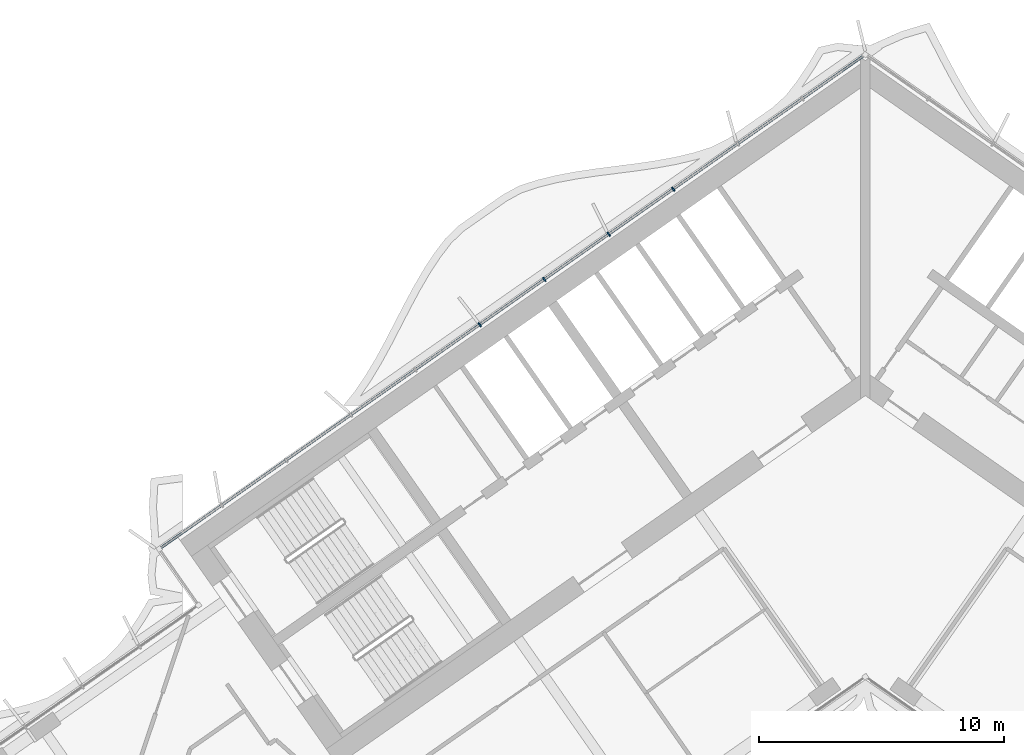
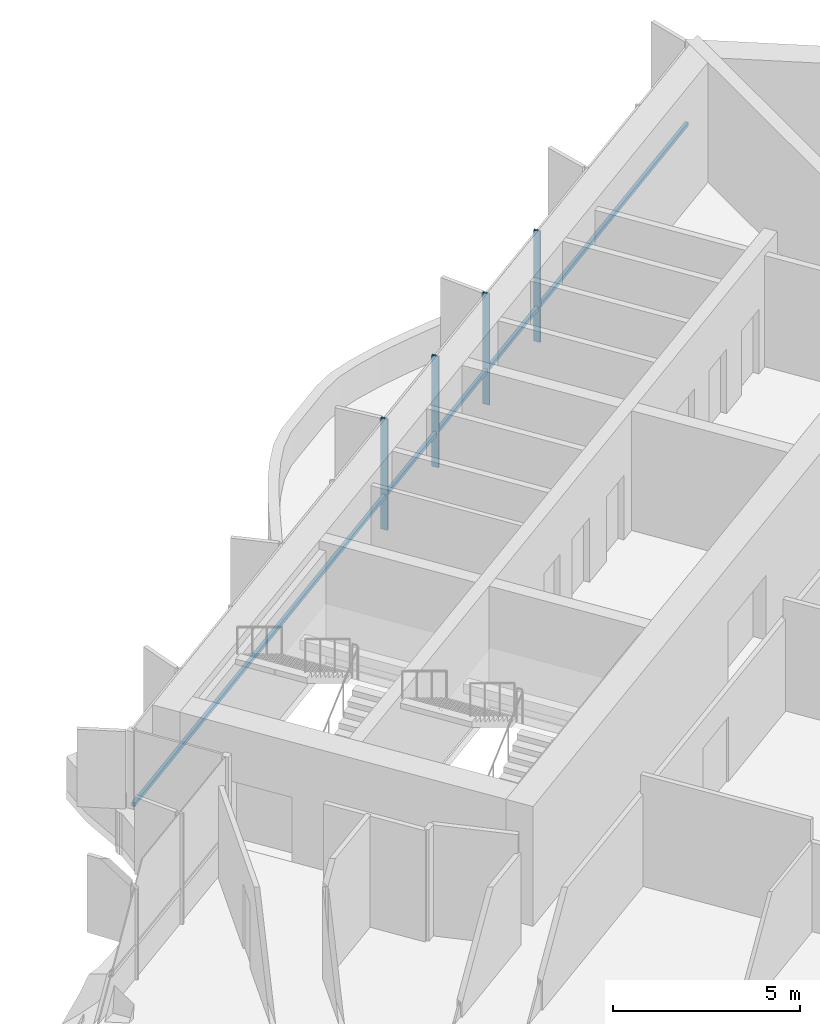
# One storey, part 8 of 23: 5 members, 1 element without a shape of its own.
"""IFC4 building model written with IfcOpenShell, lengths in metres."""

from ifc_helpers import new_model, si_unit, direction, frame, origin, origin_2d, place, context, subcontext, project, spatial, rectangle, extrude, material, material_profile, profile_set, type_object, element, aggregate, save


model = new_model("IFC4")

# Units and contexts
model_context = context("Model", 3, precision=1e-05, world=origin(), true_north=direction((0.0, 1.0)))
body_context = subcontext(model_context, "Body", "Model", "MODEL_VIEW")
ifc_project = project(units=[si_unit("LENGTHUNIT", "METRE"), si_unit("AREAUNIT", "SQUARE_METRE"), si_unit("VOLUMEUNIT", "CUBIC_METRE"), si_unit("PLANEANGLEUNIT", "RADIAN"), si_unit("MASSUNIT", "GRAM", prefix="KILO")], contexts=[model_context])

# Site, building, storey
site_placement = place(None, origin())
site = spatial("IfcSite", under=ifc_project, at=site_placement, CompositionType="ELEMENT")
building_placement = place(site_placement, origin())
building = spatial("IfcBuilding", under=site, at=building_placement, Name="Tel Ilan Convention Tower", CompositionType="ELEMENT")
storey_placement = place(building_placement, frame((0.0, 0.0, 198.300048828125)))
storey = spatial("IfcBuildingStorey", under=building, at=storey_placement, Name="L46", CompositionType="ELEMENT", Elevation=198.300048828125)

# Curtain wall, members
ifc_material_1 = material(Name="Aluminium, bronze anodised", Category="aluminium")
curtain_wall_type = type_object("IfcCurtainWallType", Name="CW2 STICK CURTAIN WALL, SPANDREL PANELS", PredefinedType="NOTDEFINED", material=ifc_material_1)
curtain_wall_placement = place(storey_placement, origin())
curtain_wall = element("IfcCurtainWall", 1, at=curtain_wall_placement, inside=storey, type_object=curtain_wall_type, Name="Curtain wall CW2-36.01", PredefinedType="NOTDEFINED")
ifc_material_2 = material(Name="Aluminium, bronze anodised", Category="aluminium")
ifc_material_profile_1 = material_profile(ifc_material_2, rectangle(XDim=0.06005859375, YDim=0.199951171875, at=origin_2d()), Name="CW MULLION 60x200")
ifc_profile_set_1 = profile_set([ifc_material_profile_1], Name="Aluminium, bronze anodised")
member_type_1 = type_object("IfcMemberType", Name="CW MULLION 60x200", PredefinedType="MULLION", material=ifc_profile_set_1)
member_1_placement = place(storey_placement, frame((-7.840576171875, 7.2060546875, 0.0), z_axis=(0.0, 0.0, 1.0), x_axis=(-0.819152044289, -0.573576436351, 0.0)))
member_1 = element("IfcMember", 2, at=member_1_placement, type_object=member_type_1, Name="Mullion", PredefinedType="MULLION", context=body_context, shape_type="SweptSolid", body=[
    extrude(rectangle(XDim=0.06005859375, YDim=0.199951171875, at=origin_2d()), origin(), (0.0, 0.0, 1.0), 3.619873046875),
])
member_2_placement = place(storey_placement, frame((-10.47314453125, 5.36279296875, 0.0), z_axis=(0.0, 0.0, 1.0), x_axis=(-0.819152044289, -0.573576436351, 0.0)))
member_2 = element("IfcMember", 3, at=member_2_placement, type_object=member_type_1, Name="Mullion", PredefinedType="MULLION", context=body_context, shape_type="SweptSolid", body=[
    extrude(rectangle(XDim=0.06005859375, YDim=0.199951171875, at=origin_2d()), origin(), (0.0, 0.0, 1.0), 3.619873046875),
])
member_3_placement = place(storey_placement, frame((-13.105712890625, 3.519287109375, 0.0), z_axis=(0.0, 0.0, 1.0), x_axis=(-0.819152044289, -0.573576436351, 0.0)))
member_3 = element("IfcMember", 4, at=member_3_placement, type_object=member_type_1, Name="Mullion", PredefinedType="MULLION", context=body_context, shape_type="SweptSolid", body=[
    extrude(rectangle(XDim=0.06005859375, YDim=0.199951171875, at=origin_2d()), origin(), (0.0, 0.0, 1.0), 3.619873046875),
])
member_4_placement = place(storey_placement, frame((-15.73828125, 1.676025390625, 0.0), z_axis=(0.0, 0.0, 1.0), x_axis=(-0.819152044289, -0.573576436351, 0.0)))
member_4 = element("IfcMember", 5, at=member_4_placement, type_object=member_type_1, Name="Mullion", PredefinedType="MULLION", context=body_context, shape_type="SweptSolid", body=[
    extrude(rectangle(XDim=0.06005859375, YDim=0.199951171875, at=origin_2d()), origin(), (0.0, 0.0, 1.0), 3.619873046875),
])
ifc_material_3 = material(Name="Aluminium, bronze anodised", Category="aluminium")
ifc_material_profile_2 = material_profile(ifc_material_3, rectangle(XDim=0.10009765625, YDim=0.1201171875, at=origin_2d()), Name="CW TRANSOM 100x120")
ifc_profile_set_2 = profile_set([ifc_material_profile_2], Name="Aluminium, bronze anodised")
member_type_2 = type_object("IfcMemberType", Name="CW TRANSOM 100x120", PredefinedType="USERDEFINED", material=ifc_profile_set_2)
member_5_placement = place(storey_placement, frame((-0.1064453125, 12.62158203125, 1.099853515625), z_axis=(-0.819150201937, -0.573579067494, 0.0), x_axis=(0.573579067494, -0.819150201937, 0.0)))
member_5 = element("IfcMember", 6, at=member_5_placement, type_object=member_type_2, Name="Transom", ObjectType="TRANSOM", PredefinedType="USERDEFINED", context=body_context, shape_type="SweptSolid", body=[
    extrude(rectangle(XDim=0.10009765625, YDim=0.1201171875, at=origin_2d()), origin(), (0.0, 0.0, 1.0), 34.9521484375),
])
aggregate(curtain_wall, [member_1, member_2, member_3, member_4, member_5])

save(model, "model.ifc")
